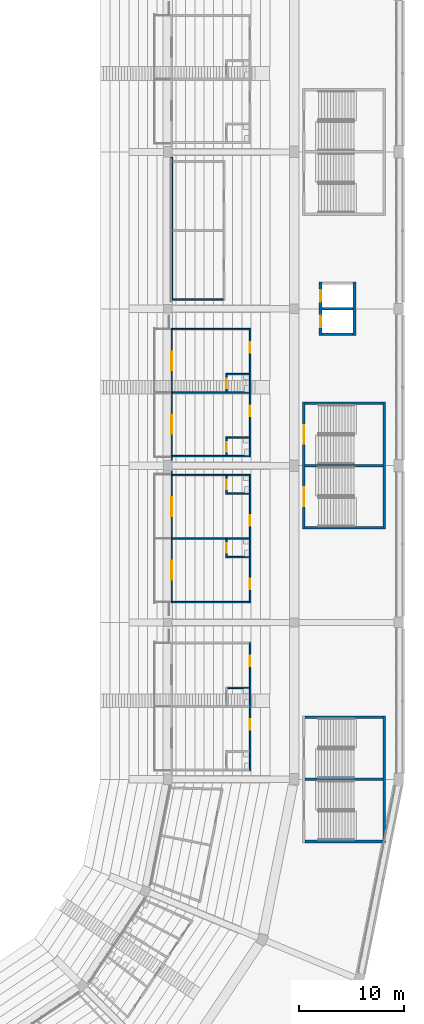
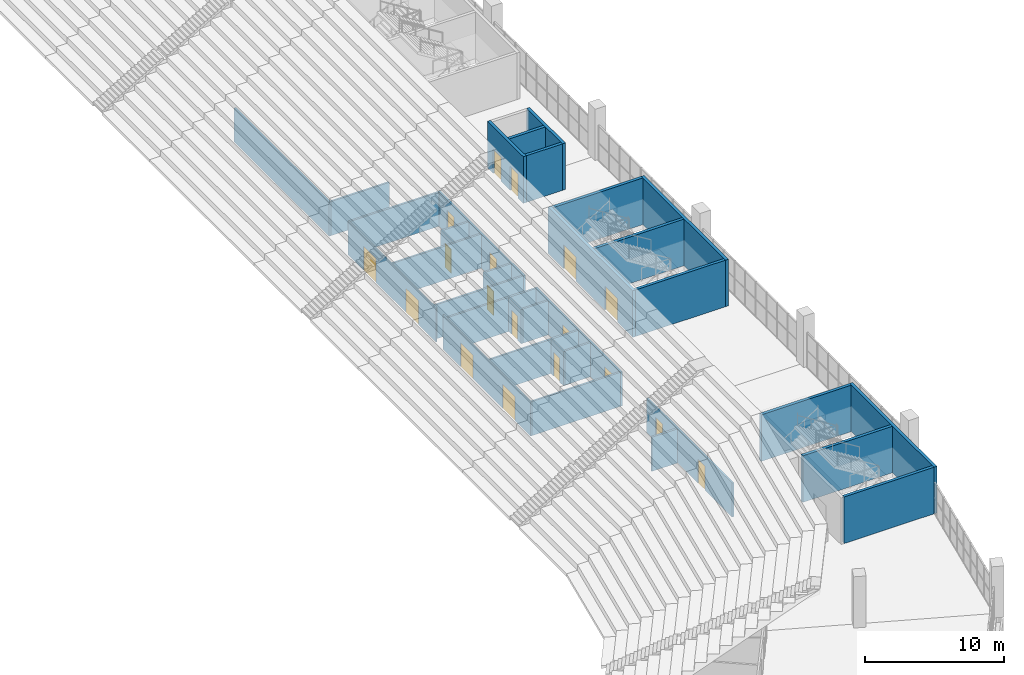
# One storey, part 92 of 249: 35 walls, 18 doors, 18 openings.
"""IFC4 building model written with IfcOpenShell, lengths in metres."""

import ifcopenshell
import ifcopenshell.guid

model = None  # the IFC model being written
_history = None  # IfcOwnerHistory: only IFC2X3 demands one
_inside = {}  # id of a spatial element -> (the spatial element, [elements in it])
_under = {}  # id of a project, library or spatial element -> (it, [spatial elements below it])
_declared = {}  # id of a project -> (the project, [libraries it declares])
_typed = {}  # id of a type object -> (the type object, [elements of that type])
_made_of = {}  # id of a material, layer set ... -> (it, [elements and type objects made of it])


def new_model(schema):
    """Start an empty IFC model of exactly this schema.

    Asked for "IFC4X3", IfcOpenShell would pick the latest addendum, in which some entities
    have other attributes; the version numbers below select the first issue.
    IFC2X3 requires an IfcOwnerHistory on every rooted entity: one is made here for all.
    """
    global model, _history
    if schema == "IFC4X3":
        model = ifcopenshell.file(schema_version=(4, 3, 0, 0))
    else:
        model = ifcopenshell.file(schema=schema)
    _inside.clear()
    _under.clear()
    _declared.clear()
    _typed.clear()
    _made_of.clear()
    _history = None
    if model.schema == "IFC2X3":
        org = make("IfcOrganization", Name="unknown")
        user = make(
            "IfcPersonAndOrganization",
            ThePerson=make("IfcPerson", FamilyName="unknown"),
            TheOrganization=org,
        )
        app = make(
            "IfcApplication",
            ApplicationDeveloper=org,
            Version="unknown",
            ApplicationFullName="unknown",
            ApplicationIdentifier="unknown",
        )
        _history = make(
            "IfcOwnerHistory",
            OwningUser=user,
            OwningApplication=app,
            ChangeAction="ADDED",
            CreationDate=0,
        )
    return model


def make(cls, **values):
    """One entity of the class cls with the attributes given. An attribute that is None is left unset."""
    return model.create_entity(
        cls, **{name: value for name, value in values.items() if value is not None}
    )


def rooted(cls, **values):
    """An entity with a GlobalId (a new one), such as an element, a storey or a relation."""
    return make(cls, GlobalId=ifcopenshell.guid.new(), OwnerHistory=_history, **values)


def si_unit(unit_type, name, prefix=None):
    """IfcSIUnit, for example si_unit("LENGTHUNIT", "METRE", prefix="MILLI")."""
    return make("IfcSIUnit", UnitType=unit_type, Prefix=prefix, Name=name)


def assignment(units):
    """IfcUnitAssignment: the units of a project."""
    return None if units is None else make("IfcUnitAssignment", Units=units)


def point(xyz):
    """IfcCartesianPoint."""
    return None if xyz is None else make("IfcCartesianPoint", Coordinates=xyz)


def direction(xyz):
    """IfcDirection."""
    return None if xyz is None else make("IfcDirection", DirectionRatios=xyz)


def frame(location, z_axis=None, x_axis=None):
    """IfcAxis2Placement3D, a coordinate frame: its origin and axes. An axis left out is left unset."""
    return make(
        "IfcAxis2Placement3D",
        Location=point(location),
        Axis=direction(z_axis),
        RefDirection=direction(x_axis),
    )


def frame_2d(location, x_axis=None):
    """IfcAxis2Placement2D, a coordinate frame in the plane: its origin and x axis."""
    return make(
        "IfcAxis2Placement2D", Location=point(location), RefDirection=direction(x_axis)
    )


def origin():
    """The frame at (0, 0, 0) with its axes left unset."""
    return frame((0.0, 0.0, 0.0))


def place(relative_to, where):
    """IfcLocalPlacement: puts the frame where relative to a parent placement (None: the world)."""
    return make(
        "IfcLocalPlacement", PlacementRelTo=relative_to, RelativePlacement=where
    )


def context(
    kind, dimensions, precision=None, world=None, true_north=None, identifier=None
):
    """IfcGeometricRepresentationContext, for example the 3D "Model" context."""
    return make(
        "IfcGeometricRepresentationContext",
        ContextIdentifier=identifier,
        ContextType=kind,
        CoordinateSpaceDimension=dimensions,
        Precision=precision,
        WorldCoordinateSystem=world,
        TrueNorth=true_north,
    )


def subcontext(parent, identifier, kind, view, scale=None):
    """IfcGeometricRepresentationSubContext, for example "Body" below "Model"."""
    return make(
        "IfcGeometricRepresentationSubContext",
        ContextIdentifier=identifier,
        ContextType=kind,
        ParentContext=parent,
        TargetScale=scale,
        TargetView=view,
    )


def project(units=None, contexts=None):
    """IfcProject with its units and contexts."""
    return rooted(
        "IfcProject",
        Name="project",
        RepresentationContexts=contexts,
        UnitsInContext=assignment(units),
    )


def spatial(cls, under=None, at=None, **own):
    """A site, building, storey or space (cls), placed at a placement, below another one or the project."""
    s = rooted(cls, ObjectPlacement=at, **own)
    if under is not None:
        _under.setdefault(under.id(), (under, []))[1].append(s)
    return s


def profile(cls, at=None, kind="AREA", **sizes):
    """A parametric profile (cls). Its sizes go by their IFC names, for example OverallWidth=200.0."""
    return make(cls, ProfileType=kind, Position=at, **sizes)


def rectangle(**sizes):
    """IfcRectangleProfileDef."""
    return profile("IfcRectangleProfileDef", **sizes)


def extrude(swept, where, along, depth):
    """IfcExtrudedAreaSolid: the profile swept, set in the frame where, extruded along a direction by depth."""
    return make(
        "IfcExtrudedAreaSolid",
        SweptArea=swept,
        Position=where,
        ExtrudedDirection=direction(along),
        Depth=depth,
    )


def shape(context_of_items, identifier, shape_type, items):
    """IfcShapeRepresentation: the items that make up one representation, for example the "Body"."""
    return make(
        "IfcShapeRepresentation",
        ContextOfItems=context_of_items,
        RepresentationIdentifier=identifier,
        RepresentationType=shape_type,
        Items=items,
    )


def material(Name=None, Category=None):
    """IfcMaterial."""
    return make("IfcMaterial", Name=Name, Category=Category)


def layer(
    of_material, thickness, ventilated=None, Name=None, Category=None, Priority=None
):
    """IfcMaterialLayer: one layer of a wall or slab, of a material (None: an air gap)."""
    return make(
        "IfcMaterialLayer",
        Material=of_material,
        LayerThickness=thickness,
        IsVentilated=ventilated,
        Name=Name,
        Category=Category,
        Priority=Priority,
    )


def layer_set(layers, Name=None):
    """IfcMaterialLayerSet."""
    return make("IfcMaterialLayerSet", MaterialLayers=layers, LayerSetName=Name)


def made_of(thing, what):
    """Note that an element or type object is made of a material, layer set ...; save() writes the relation."""
    if what is not None:
        _made_of.setdefault(what.id(), (what, []))[1].append(thing)
    return thing


def type_object(cls, material=None, **own):
    """A type object (cls), such as IfcWallType, which elements share."""
    return made_of(rooted(cls, **own), material)


def element(
    cls,
    number,
    at=None,
    inside=None,
    cuts=None,
    type_object=None,
    material=None,
    context=None,
    identifier="Body",
    shape_type=None,
    held_by="IfcProductDefinitionShape",
    body=None,
    shapes=None,
    **own,
):
    """One element of the class cls, such as IfcWall. Its Tag is "e" and its number.

    at: its placement. inside: the storey or other place that contains it. cuts: it is an
    opening in that element (IfcRelVoidsElement). A single representation is given by context,
    identifier, shape_type and body (its items); several are given by shapes. held_by: the class
    of the entity that holds the representations. save() writes the other relations.
    """
    e = rooted(cls, Tag="e%d" % number, ObjectPlacement=at, **own)
    if body is not None:
        shapes = [shape(context, identifier, shape_type, body)]
    if shapes is not None:
        e.Representation = make(held_by, Representations=shapes)
    if inside is not None:
        _inside.setdefault(inside.id(), (inside, []))[1].append(e)
    if cuts is not None:
        rooted(
            "IfcRelVoidsElement", RelatingBuildingElement=cuts, RelatedOpeningElement=e
        )
    if type_object is not None:
        _typed.setdefault(type_object.id(), (type_object, []))[1].append(e)
    return made_of(e, material)


def fill(opening, filler):
    """IfcRelFillsElement: the door or window that sits in an opening."""
    return rooted(
        "IfcRelFillsElement",
        RelatingOpeningElement=opening,
        RelatedBuildingElement=filler,
    )


def aggregate(whole, parts):
    """IfcRelAggregates: a whole, such as a stair, and the parts it consists of."""
    return rooted("IfcRelAggregates", RelatingObject=whole, RelatedObjects=parts)


def save(model, path):
    """Write the relations noted so far, then the file.

    IfcRelAggregates (storeys below a building ...), IfcRelContainedInSpatialStructure (elements
    in a storey), IfcRelDefinesByType, IfcRelAssociatesMaterial and IfcRelDeclares: one each for
    every whole, place, type object, material and project.
    """
    for whole, parts in _under.values():
        aggregate(whole, parts)
    for where, things in _inside.values():
        rooted(
            "IfcRelContainedInSpatialStructure",
            RelatedElements=things,
            RelatingStructure=where,
        )
    for kind, things in _typed.values():
        rooted("IfcRelDefinesByType", RelatedObjects=things, RelatingType=kind)
    for what, things in _made_of.values():
        rooted("IfcRelAssociatesMaterial", RelatedObjects=things, RelatingMaterial=what)
    for by, libraries in _declared.values():
        rooted("IfcRelDeclares", RelatingContext=by, RelatedDefinitions=libraries)
    model.write(path)


model = new_model("IFC4")

# Units and contexts
model_context = context("Model", 3, precision=1e-05, world=origin(), true_north=direction((0.0, 1.0)))
body_context = subcontext(model_context, "Body", "Model", "MODEL_VIEW")
ifc_project = project(units=[si_unit("LENGTHUNIT", "METRE"), si_unit("AREAUNIT", "SQUARE_METRE"), si_unit("VOLUMEUNIT", "CUBIC_METRE"), si_unit("PLANEANGLEUNIT", "RADIAN"), si_unit("MASSUNIT", "GRAM", prefix="KILO")], contexts=[model_context])

# Site, building, storey
site_placement = place(None, origin())
site = spatial("IfcSite", under=ifc_project, at=site_placement, CompositionType="ELEMENT")
building_placement = place(site_placement, origin())
building = spatial("IfcBuilding", under=site, at=building_placement, Name="Ogive Plaza Stadium", CompositionType="ELEMENT")
storey_placement = place(building_placement, frame((0.0, 0.0, 13.5)))
storey = spatial("IfcBuildingStorey", under=building, at=storey_placement, Name="L03", CompositionType="ELEMENT", Elevation=13.5)

# Walls
ifc_material_1 = material(Name="Masonry blockwork", Category="masonry")
ifc_layer_1 = layer(ifc_material_1, 0.14990234375)
ifc_layer_set_1 = layer_set([ifc_layer_1], Name="Blockwork wall 150")
wall_type_1 = type_object("IfcWallType", Name="Blockwork wall 150", PredefinedType="SOLIDWALL", material=ifc_layer_set_1)
wall_1_placement = place(storey_placement, frame((62.300048828125, 7.0, 0.0), z_axis=(0.0, 0.0, 1.0), x_axis=(0.0, -1.0, 0.0)))
element("IfcWall", 1, at=wall_1_placement, inside=storey, type_object=wall_type_1, Name="Wall L03 B04", PredefinedType="SOLIDWALL", context=body_context, shape_type="SweptSolid", body=[
    extrude(rectangle(XDim=13.675048828125, YDim=0.14990234375, at=frame_2d((6.83740234375, 0.0))), origin(), (0.0, 0.0, 1.0), 3.0),
])
wall_2_placement = place(storey_placement, frame((62.375, -6.60009765625, 0.0), z_axis=(0.0, 0.0, 1.0), x_axis=(1.0, 0.0, 0.0)))
element("IfcWall", 2, at=wall_2_placement, inside=storey, type_object=wall_type_1, Name="Wall L03 B04", PredefinedType="SOLIDWALL", context=body_context, shape_type="SweptSolid", body=[
    extrude(rectangle(XDim=4.85009765625, YDim=0.14990234375, at=frame_2d((2.425048828125, 0.0))), origin(), (0.0, 0.0, 1.0), 3.0),
])

# Wall, openings, doors
wall_3_placement = place(storey_placement, frame((69.800048828125, -21.675048828125, 0.0), z_axis=(0.0, 0.0, 1.0), x_axis=(0.0, 1.0, 0.0)))
wall_3 = element("IfcWall", 3, at=wall_3_placement, inside=storey, type_object=wall_type_1, Name="Wall L03 B05", PredefinedType="SOLIDWALL", context=body_context, shape_type="SweptSolid", body=[
    extrude(rectangle(XDim=12.300048828125, YDim=0.14990234375, at=frame_2d((6.14990234375, 0.0))), origin(), (0.0, 0.0, 1.0), 3.0),
])
opening_1_placement = place(wall_3_placement, frame((3.916015625, 0.0, 0.0)))
opening_1 = element("IfcOpeningElement", 4, at=opening_1_placement, cuts=wall_3, Name="Opening D0769", PredefinedType="OPENING", context=body_context, shape_type="SweptSolid", body=[
    extrude(rectangle(XDim=1.0, YDim=2.10009765625, at=frame_2d((0.5, 1.050048828125))), frame((0.0, 0.074951171875, 0.0), z_axis=(0.0, -1.0, 0.0), x_axis=(1.0, 0.0, 0.0)), (0.0, 0.0, 1.0), 0.14990234375),
])
opening_2_placement = place(wall_3_placement, frame((9.990966796875, 0.0, 0.0)))
opening_2 = element("IfcOpeningElement", 5, at=opening_2_placement, cuts=wall_3, Name="Opening D0770", PredefinedType="OPENING", context=body_context, shape_type="SweptSolid", body=[
    extrude(rectangle(XDim=1.0, YDim=2.10009765625, at=frame_2d((0.5, 1.050048828125))), frame((0.0, 0.074951171875, 0.0), z_axis=(0.0, -1.0, 0.0), x_axis=(1.0, 0.0, 0.0)), (0.0, 0.0, 1.0), 0.14990234375),
])
ifc_material_2 = material(Name="Steel ASTM A572 Grade 50", Category="steel")
door_type_1 = type_object("IfcDoorType", Name="Fire door FD30S 1000 x 2100", OperationType="SINGLE_SWING_LEFT", PredefinedType="DOOR", material=ifc_material_2)
door_1_placement = place(opening_1_placement, origin())
door_1 = element("IfcDoor", 6, at=door_1_placement, inside=storey, type_object=door_type_1, Name="Hospitality Suite B05 door", OperationType="SINGLE_SWING_LEFT", OverallHeight=2.10009765625, OverallWidth=1.0, PredefinedType="DOOR", context=body_context, shape_type="SweptSolid", body=[
    extrude(rectangle(XDim=1.0, YDim=2.10009765625, at=frame_2d((0.5, 1.050048828125))), frame((0.0, 0.02490234375, 0.0), z_axis=(0.0, -1.0, 0.0), x_axis=(1.0, 0.0, 0.0)), (0.0, 0.0, 1.0), 0.050048828125),
])
fill(opening_1, door_1)
door_2_placement = place(opening_2_placement, origin())
door_2 = element("IfcDoor", 7, at=door_2_placement, inside=storey, type_object=door_type_1, Name="Hospitality Suite B05 door", OperationType="SINGLE_SWING_LEFT", OverallHeight=2.10009765625, OverallWidth=1.0, PredefinedType="DOOR", context=body_context, shape_type="SweptSolid", body=[
    extrude(rectangle(XDim=1.0, YDim=2.10009765625, at=frame_2d((0.5, 1.050048828125))), frame((0.0, 0.02490234375, 0.0), z_axis=(0.0, -1.0, 0.0), x_axis=(1.0, 0.0, 0.0)), (0.0, 0.0, 1.0), 0.050048828125),
])
fill(opening_2, door_2)

# Walls
for number, where, z_axis, x_axis, name in (
    (8, (62.35009765625, -21.60009765625, 0.0), (0.0, 0.0, 1.0), (1.0, 0.0, 0.0), "Wall L03 B05"),
    (9, (62.35009765625, -15.52490234375, 0.0), (0.0, 0.0, 1.0), (1.0, 0.0, 0.0), "Wall L03 B05"),
    (10, (62.35009765625, -9.449951171875, 0.0), (0.0, 0.0, 1.0), (1.0, 0.0, 0.0), "Wall L03 B05"),
):
    element("IfcWall", number, at=place(storey_placement, frame(where, z_axis=z_axis, x_axis=x_axis)), inside=storey, type_object=wall_type_1, Name=name, PredefinedType="SOLIDWALL", context=body_context, shape_type="SweptSolid", body=[
        extrude(rectangle(XDim=7.375, YDim=0.14990234375, at=frame_2d((3.6875, 0.0))), origin(), (0.0, 0.0, 1.0), 3.0),
    ])

# Wall, openings, doors
wall_4_placement = place(storey_placement, frame((69.800048828125, -23.324951171875, 0.0), z_axis=(0.0, 0.0, 1.0), x_axis=(0.0, -1.0, 0.0)))
wall_4 = element("IfcWall", 11, at=wall_4_placement, inside=storey, type_object=wall_type_1, Name="Wall L03 B06", PredefinedType="SOLIDWALL", context=body_context, shape_type="SweptSolid", body=[
    extrude(rectangle(XDim=12.300048828125, YDim=0.14990234375, at=frame_2d((6.14990234375, 0.0))), origin(), (0.0, 0.0, 1.0), 3.0),
])
opening_3_placement = place(wall_4_placement, frame((3.916015625, 0.0, 0.0)))
opening_3 = element("IfcOpeningElement", 12, at=opening_3_placement, cuts=wall_4, Name="Opening D0775", PredefinedType="OPENING", context=body_context, shape_type="SweptSolid", body=[
    extrude(rectangle(XDim=1.0, YDim=2.10009765625, at=frame_2d((0.5, 1.050048828125))), frame((0.0, 0.074951171875, 0.0), z_axis=(0.0, -1.0, 0.0), x_axis=(1.0, 0.0, 0.0)), (0.0, 0.0, 1.0), 0.14990234375),
])
opening_4_placement = place(wall_4_placement, frame((9.990966796875, 0.0, 0.0)))
opening_4 = element("IfcOpeningElement", 13, at=opening_4_placement, cuts=wall_4, Name="Opening D0776", PredefinedType="OPENING", context=body_context, shape_type="SweptSolid", body=[
    extrude(rectangle(XDim=1.0, YDim=2.10009765625, at=frame_2d((0.5, 1.050048828125))), frame((0.0, 0.074951171875, 0.0), z_axis=(0.0, -1.0, 0.0), x_axis=(1.0, 0.0, 0.0)), (0.0, 0.0, 1.0), 0.14990234375),
])
door_3_placement = place(opening_3_placement, origin())
door_3 = element("IfcDoor", 14, at=door_3_placement, inside=storey, type_object=door_type_1, Name="Hospitality Suite B06 door", OperationType="SINGLE_SWING_RIGHT", OverallHeight=2.10009765625, OverallWidth=1.0, PredefinedType="DOOR", context=body_context, shape_type="SweptSolid", body=[
    extrude(rectangle(XDim=1.0, YDim=2.10009765625, at=frame_2d((0.5, 1.050048828125))), frame((0.0, 0.02490234375, 0.0), z_axis=(0.0, -1.0, 0.0), x_axis=(1.0, 0.0, 0.0)), (0.0, 0.0, 1.0), 0.050048828125),
])
fill(opening_3, door_3)
door_4_placement = place(opening_4_placement, origin())
door_4 = element("IfcDoor", 15, at=door_4_placement, inside=storey, type_object=door_type_1, Name="Hospitality Suite B06 door", OperationType="SINGLE_SWING_RIGHT", OverallHeight=2.10009765625, OverallWidth=1.0, PredefinedType="DOOR", context=body_context, shape_type="SweptSolid", body=[
    extrude(rectangle(XDim=1.0, YDim=2.10009765625, at=frame_2d((0.5, 1.050048828125))), frame((0.0, 0.02490234375, 0.0), z_axis=(0.0, -1.0, 0.0), x_axis=(1.0, 0.0, 0.0)), (0.0, 0.0, 1.0), 0.050048828125),
])
fill(opening_4, door_4)

# Walls
for number, where, z_axis, x_axis, name in (
    (16, (62.35009765625, -23.39990234375, 0.0), (0.0, 0.0, 1.0), (1.0, 0.0, 0.0), "Wall L03 B06"),
    (17, (62.35009765625, -29.47509765625, 0.0), (0.0, 0.0, 1.0), (1.0, 0.0, 0.0), "Wall L03 B06"),
    (18, (62.35009765625, -35.550048828125, 0.0), (0.0, 0.0, 1.0), (1.0, 0.0, 0.0), "Wall L03 B06"),
):
    element("IfcWall", number, at=place(storey_placement, frame(where, z_axis=z_axis, x_axis=x_axis)), inside=storey, type_object=wall_type_1, Name=name, PredefinedType="SOLIDWALL", context=body_context, shape_type="SweptSolid", body=[
        extrude(rectangle(XDim=7.375, YDim=0.14990234375, at=frame_2d((3.6875, 0.0))), origin(), (0.0, 0.0, 1.0), 3.0),
    ])

# Wall, openings, doors
wall_5_placement = place(storey_placement, frame((69.800048828125, -51.675048828125, 0.0), z_axis=(0.0, 0.0, 1.0), x_axis=(0.0, 1.0, 0.0)))
wall_5 = element("IfcWall", 19, at=wall_5_placement, inside=storey, type_object=wall_type_1, Name="Wall L03 B07", PredefinedType="SOLIDWALL", context=body_context, shape_type="SweptSolid", body=[
    extrude(rectangle(XDim=12.300048828125, YDim=0.14990234375, at=frame_2d((6.14990234375, 0.0))), origin(), (0.0, 0.0, 1.0), 3.0),
])
opening_5_placement = place(wall_5_placement, frame((3.916015625, 0.0, 0.0)))
opening_5 = element("IfcOpeningElement", 20, at=opening_5_placement, cuts=wall_5, Name="Opening D0781", PredefinedType="OPENING", context=body_context, shape_type="SweptSolid", body=[
    extrude(rectangle(XDim=1.0, YDim=2.10009765625, at=frame_2d((0.5, 1.050048828125))), frame((0.0, 0.074951171875, 0.0), z_axis=(0.0, -1.0, 0.0), x_axis=(1.0, 0.0, 0.0)), (0.0, 0.0, 1.0), 0.14990234375),
])
opening_6_placement = place(wall_5_placement, frame((9.990966796875, 0.0, 0.0)))
opening_6 = element("IfcOpeningElement", 21, at=opening_6_placement, cuts=wall_5, Name="Opening D0782", PredefinedType="OPENING", context=body_context, shape_type="SweptSolid", body=[
    extrude(rectangle(XDim=1.0, YDim=2.10009765625, at=frame_2d((0.5, 1.050048828125))), frame((0.0, 0.074951171875, 0.0), z_axis=(0.0, -1.0, 0.0), x_axis=(1.0, 0.0, 0.0)), (0.0, 0.0, 1.0), 0.14990234375),
])
door_5_placement = place(opening_5_placement, origin())
door_5 = element("IfcDoor", 22, at=door_5_placement, inside=storey, type_object=door_type_1, Name="Hospitality Suite B07 door", OperationType="SINGLE_SWING_LEFT", OverallHeight=2.10009765625, OverallWidth=1.0, PredefinedType="DOOR", context=body_context, shape_type="SweptSolid", body=[
    extrude(rectangle(XDim=1.0, YDim=2.10009765625, at=frame_2d((0.5, 1.050048828125))), frame((0.0, 0.02490234375, 0.0), z_axis=(0.0, -1.0, 0.0), x_axis=(1.0, 0.0, 0.0)), (0.0, 0.0, 1.0), 0.050048828125),
])
fill(opening_5, door_5)
door_6_placement = place(opening_6_placement, origin())
door_6 = element("IfcDoor", 23, at=door_6_placement, inside=storey, type_object=door_type_1, Name="Hospitality Suite B07 door", OperationType="SINGLE_SWING_LEFT", OverallHeight=2.10009765625, OverallWidth=1.0, PredefinedType="DOOR", context=body_context, shape_type="SweptSolid", body=[
    extrude(rectangle(XDim=1.0, YDim=2.10009765625, at=frame_2d((0.5, 1.050048828125))), frame((0.0, 0.02490234375, 0.0), z_axis=(0.0, -1.0, 0.0), x_axis=(1.0, 0.0, 0.0)), (0.0, 0.0, 1.0), 0.050048828125),
])
fill(opening_6, door_6)

ifc_material_3 = material(Name="Concrete C40/50", Category="concrete")
ifc_layer_2 = layer(ifc_material_3, 0.25)
ifc_layer_set_2 = layer_set([ifc_layer_2], Name="Concrete C40/50")
wall_type_2 = type_object("IfcWallType", Name="Core wall 250", PredefinedType="SHEAR", material=ifc_layer_set_2)
wall_6_placement = place(storey_placement, frame((74.925048828125, -28.574951171875, 0.0), z_axis=(0.0, 0.0, 1.0), x_axis=(0.0, 1.0, 0.0)))
wall_6 = element("IfcWall", 24, at=wall_6_placement, inside=storey, type_object=wall_type_2, Name="Stair core R06 inner wall", PredefinedType="SHEAR", context=body_context, shape_type="SweptSolid", body=[
    extrude(rectangle(XDim=12.14990234375, YDim=0.25, at=frame_2d((6.074951171875, 0.0))), origin(), (0.0, 0.0, 1.0), 4.090087890625),
])
opening_7_placement = place(wall_6_placement, frame((2.199951171875, 0.0, 0.0)))
opening_7 = element("IfcOpeningElement", 25, at=opening_7_placement, cuts=wall_6, Name="Opening D0075", PredefinedType="OPENING", context=body_context, shape_type="SweptSolid", body=[
    extrude(rectangle(XDim=1.800048828125, YDim=2.10009765625, at=frame_2d((0.89990234375, 1.050048828125))), frame((0.0, 0.125, 0.0), z_axis=(0.0, -1.0, 0.0), x_axis=(1.0, 0.0, 0.0)), (0.0, 0.0, 1.0), 0.25),
])
opening_8_placement = place(wall_6_placement, frame((8.14990234375, 0.0, 0.0)))
opening_8 = element("IfcOpeningElement", 26, at=opening_8_placement, cuts=wall_6, Name="Opening D0076", PredefinedType="OPENING", context=body_context, shape_type="SweptSolid", body=[
    extrude(rectangle(XDim=1.800048828125, YDim=2.10009765625, at=frame_2d((0.89990234375, 1.050048828125))), frame((0.0, 0.125, 0.0), z_axis=(0.0, -1.0, 0.0), x_axis=(1.0, 0.0, 0.0)), (0.0, 0.0, 1.0), 0.25),
])
ifc_material_4 = material(Name="Steel ASTM A572 Grade 50", Category="steel")
door_type_2 = type_object("IfcDoorType", Name="Fire door FD90 pair 1800 x 2100", OperationType="DOUBLE_DOOR_SINGLE_SWING", PredefinedType="DOOR", material=ifc_material_4)
door_7_placement = place(opening_7_placement, origin())
door_7 = element("IfcDoor", 27, at=door_7_placement, inside=storey, type_object=door_type_2, Name="Exit stair R06A door L03", OperationType="DOUBLE_DOOR_SINGLE_SWING", OverallHeight=2.10009765625, OverallWidth=1.800048828125, PredefinedType="DOOR", context=body_context, shape_type="SweptSolid", body=[
    extrude(rectangle(XDim=1.800048828125, YDim=2.10009765625, at=frame_2d((0.89990234375, 1.050048828125))), frame((0.0, 0.02490234375, 0.0), z_axis=(0.0, -1.0, 0.0), x_axis=(1.0, 0.0, 0.0)), (0.0, 0.0, 1.0), 0.050048828125),
])
fill(opening_7, door_7)
door_8_placement = place(opening_8_placement, origin())
door_8 = element("IfcDoor", 28, at=door_8_placement, inside=storey, type_object=door_type_2, Name="Exit stair R06B door L03", OperationType="DOUBLE_DOOR_SINGLE_SWING", OverallHeight=2.10009765625, OverallWidth=1.800048828125, PredefinedType="DOOR", context=body_context, shape_type="SweptSolid", body=[
    extrude(rectangle(XDim=1.800048828125, YDim=2.10009765625, at=frame_2d((0.89990234375, 1.050048828125))), frame((0.0, 0.02490234375, 0.0), z_axis=(0.0, -1.0, 0.0), x_axis=(1.0, 0.0, 0.0)), (0.0, 0.0, 1.0), 0.050048828125),
])
fill(opening_8, door_8)

# Walls
wall_7_placement = place(storey_placement, frame((82.635009765625, -28.574951171875, 0.0), z_axis=(0.0, 0.0, 1.0), x_axis=(0.0, 1.0, 0.0)))
element("IfcWall", 29, at=wall_7_placement, inside=storey, type_object=wall_type_2, Name="Stair core R06 outer wall", PredefinedType="SHEAR", context=body_context, shape_type="SweptSolid", body=[
    extrude(rectangle(XDim=12.14990234375, YDim=0.25, at=frame_2d((6.074951171875, 0.0))), origin(), (0.0, 0.0, 1.0), 4.090087890625),
])
for number, where, z_axis, x_axis, name in (
    (30, (75.050048828125, -28.449951171875, 0.0), (0.0, 0.0, 1.0), (1.0, 0.0, 0.0), "Stair core R06 side wall"),
    (31, (75.050048828125, -16.550048828125, 0.0), (0.0, 0.0, 1.0), (1.0, 0.0, 0.0), "Stair core R06 side wall"),
    (32, (75.050048828125, -22.5, 0.0), (0.0, 0.0, 1.0), (1.0, 0.0, 0.0), "Stair core R06 centre wall"),
):
    element("IfcWall", number, at=place(storey_placement, frame(where, z_axis=z_axis, x_axis=x_axis)), inside=storey, type_object=wall_type_2, Name=name, PredefinedType="SHEAR", context=body_context, shape_type="SweptSolid", body=[
        extrude(rectangle(XDim=7.4599609375, YDim=0.25, at=frame_2d((3.72998046875, 0.0))), origin(), (0.0, 0.0, 1.0), 4.090087890625),
    ])
wall_8_placement = place(storey_placement, frame((82.635009765625, -58.574951171875, 0.0), z_axis=(0.0, 0.0, 1.0), x_axis=(0.0, 1.0, 0.0)))
element("IfcWall", 33, at=wall_8_placement, inside=storey, type_object=wall_type_2, Name="Stair core R08 outer wall", PredefinedType="SHEAR", context=body_context, shape_type="SweptSolid", body=[
    extrude(rectangle(XDim=12.14990234375, YDim=0.25, at=frame_2d((6.074951171875, 0.0))), origin(), (0.0, 0.0, 1.0), 4.090087890625),
])
for number, where, z_axis, x_axis, name in (
    (34, (75.050048828125, -58.449951171875, 0.0), (0.0, 0.0, 1.0), (1.0, 0.0, 0.0), "Stair core R08 side wall"),
    (35, (75.050048828125, -46.550048828125, 0.0), (0.0, 0.0, 1.0), (1.0, 0.0, 0.0), "Stair core R08 side wall"),
    (36, (75.050048828125, -52.5, 0.0), (0.0, 0.0, 1.0), (1.0, 0.0, 0.0), "Stair core R08 centre wall"),
):
    element("IfcWall", number, at=place(storey_placement, frame(where, z_axis=z_axis, x_axis=x_axis)), inside=storey, type_object=wall_type_2, Name=name, PredefinedType="SHEAR", context=body_context, shape_type="SweptSolid", body=[
        extrude(rectangle(XDim=7.4599609375, YDim=0.25, at=frame_2d((3.72998046875, 0.0))), origin(), (0.0, 0.0, 1.0), 4.090087890625),
    ])

# Wall, openings, doors
wall_9_placement = place(storey_placement, frame((76.52490234375, -10.074951171875, 0.0), z_axis=(0.0, 0.0, 1.0), x_axis=(0.0, 1.0, 0.0)))
wall_9 = element("IfcWall", 37, at=wall_9_placement, inside=storey, type_object=wall_type_2, Name="Lift core LP05 landing wall", PredefinedType="SHEAR", context=body_context, shape_type="SweptSolid", body=[
    extrude(rectangle(XDim=5.14990234375, YDim=0.25, at=frame_2d((2.574951171875, 0.0))), origin(), (0.0, 0.0, 1.0), 4.090087890625),
])
opening_9_placement = place(wall_9_placement, frame((0.800048828125, 0.0, 0.0)))
opening_9 = element("IfcOpeningElement", 38, at=opening_9_placement, cuts=wall_9, Name="Opening LD015", PredefinedType="OPENING", context=body_context, shape_type="SweptSolid", body=[
    extrude(rectangle(XDim=1.10009765625, YDim=2.10009765625, at=frame_2d((0.550048828125, 1.050048828125))), frame((0.0, 0.125, 0.0), z_axis=(0.0, -1.0, 0.0), x_axis=(1.0, 0.0, 0.0)), (0.0, 0.0, 1.0), 0.25),
])
opening_10_placement = place(wall_9_placement, frame((3.25, 0.0, 0.0)))
opening_10 = element("IfcOpeningElement", 39, at=opening_10_placement, cuts=wall_9, Name="Opening LD016", PredefinedType="OPENING", context=body_context, shape_type="SweptSolid", body=[
    extrude(rectangle(XDim=1.10009765625, YDim=2.10009765625, at=frame_2d((0.550048828125, 1.050048828125))), frame((0.0, 0.125, 0.0), z_axis=(0.0, -1.0, 0.0), x_axis=(1.0, 0.0, 0.0)), (0.0, 0.0, 1.0), 0.25),
])
ifc_material_5 = material(Name="Steel ASTM A572 Grade 50", Category="steel")
door_type_3 = type_object("IfcDoorType", Name="Landing door 1100 x 2100", OperationType="SLIDING_TO_LEFT", PredefinedType="DOOR", material=ifc_material_5)
door_9_placement = place(opening_9_placement, origin())
door_9 = element("IfcDoor", 40, at=door_9_placement, inside=storey, type_object=door_type_3, Name="Lift landing door LP05 L03", OperationType="SLIDING_TO_LEFT", OverallHeight=2.10009765625, OverallWidth=1.10009765625, PredefinedType="DOOR", context=body_context, shape_type="SweptSolid", body=[
    extrude(rectangle(XDim=1.10009765625, YDim=2.10009765625, at=frame_2d((0.550048828125, 1.050048828125))), frame((0.0, 0.02490234375, 0.0), z_axis=(0.0, -1.0, 0.0), x_axis=(1.0, 0.0, 0.0)), (0.0, 0.0, 1.0), 0.050048828125),
])
fill(opening_9, door_9)
door_10_placement = place(opening_10_placement, origin())
door_10 = element("IfcDoor", 41, at=door_10_placement, inside=storey, type_object=door_type_3, Name="Lift landing door LP05 L03", OperationType="SLIDING_TO_LEFT", OverallHeight=2.10009765625, OverallWidth=1.10009765625, PredefinedType="DOOR", context=body_context, shape_type="SweptSolid", body=[
    extrude(rectangle(XDim=1.10009765625, YDim=2.10009765625, at=frame_2d((0.550048828125, 1.050048828125))), frame((0.0, 0.02490234375, 0.0), z_axis=(0.0, -1.0, 0.0), x_axis=(1.0, 0.0, 0.0)), (0.0, 0.0, 1.0), 0.050048828125),
])
fill(opening_10, door_10)

# Walls
wall_10_placement = place(storey_placement, frame((79.77490234375, -10.074951171875, 0.0), z_axis=(0.0, 0.0, 1.0), x_axis=(0.0, 1.0, 0.0)))
element("IfcWall", 42, at=wall_10_placement, inside=storey, type_object=wall_type_2, Name="Lift core LP05 rear wall", PredefinedType="SHEAR", context=body_context, shape_type="SweptSolid", body=[
    extrude(rectangle(XDim=5.14990234375, YDim=0.25, at=frame_2d((2.574951171875, 0.0))), origin(), (0.0, 0.0, 1.0), 4.090087890625),
])
for number, where, z_axis, x_axis, name in (
    (43, (76.64990234375, -9.949951171875, 0.0), (0.0, 0.0, 1.0), (1.0, 0.0, 0.0), "Lift core LP05 side wall"),
    (44, (76.64990234375, -7.5, 0.0), (0.0, 0.0, 1.0), (1.0, 0.0, 0.0), "Lift core LP05 centre wall"),
):
    element("IfcWall", number, at=place(storey_placement, frame(where, z_axis=z_axis, x_axis=x_axis)), inside=storey, type_object=wall_type_2, Name=name, PredefinedType="SHEAR", context=body_context, shape_type="SweptSolid", body=[
        extrude(rectangle(XDim=3.0, YDim=0.25, at=frame_2d((1.5, 0.0))), origin(), (0.0, 0.0, 1.0), 4.090087890625),
    ])

# Wall, openings, doors
ifc_material_6 = material(Name="Laminated glass in aluminium frame", Category="aluminium")
ifc_layer_3 = layer(ifc_material_6, 0.10009765625)
ifc_layer_set_3 = layer_set([ifc_layer_3], Name="Glazed partition 100")
wall_type_3 = type_object("IfcWallType", Name="Glazed partition 100", PredefinedType="PARTITIONING", material=ifc_layer_set_3)
wall_11_placement = place(storey_placement, frame((62.300048828125, -22.0, 0.0), z_axis=(0.0, 0.0, 1.0), x_axis=(0.0, 1.0, 0.0)))
wall_11 = element("IfcWall", 45, at=wall_11_placement, inside=storey, type_object=wall_type_3, Name="Wall L03 B05", PredefinedType="PARTITIONING", context=body_context, shape_type="SweptSolid", body=[
    extrude(rectangle(XDim=12.625, YDim=0.10009765625, at=frame_2d((6.3125, 0.0))), origin(), (0.0, 0.0, 1.0), 3.0),
])
opening_11_placement = place(wall_11_placement, frame((2.53759765625, 0.0, 0.0)))
opening_11 = element("IfcOpeningElement", 46, at=opening_11_placement, cuts=wall_11, Name="Opening D0771", PredefinedType="OPENING", context=body_context, shape_type="SweptSolid", body=[
    extrude(rectangle(XDim=1.800048828125, YDim=2.10009765625, at=frame_2d((0.89990234375, 1.050048828125))), frame((0.0, 0.050048828125, 0.0), z_axis=(0.0, -1.0, 0.0), x_axis=(1.0, 0.0, 0.0)), (0.0, 0.0, 1.0), 0.10009765625),
])
opening_12_placement = place(wall_11_placement, frame((8.612548828125, 0.0, 0.0)))
opening_12 = element("IfcOpeningElement", 47, at=opening_12_placement, cuts=wall_11, Name="Opening D0772", PredefinedType="OPENING", context=body_context, shape_type="SweptSolid", body=[
    extrude(rectangle(XDim=1.800048828125, YDim=2.10009765625, at=frame_2d((0.89990234375, 1.050048828125))), frame((0.0, 0.050048828125, 0.0), z_axis=(0.0, -1.0, 0.0), x_axis=(1.0, 0.0, 0.0)), (0.0, 0.0, 1.0), 0.10009765625),
])
ifc_material_7 = material(Name="Steel ASTM A572 Grade 50", Category="steel")
door_type_4 = type_object("IfcDoorType", Name="Door pair 1800 x 2100", OperationType="DOUBLE_DOOR_SINGLE_SWING", PredefinedType="DOOR", material=ifc_material_7)
door_11_placement = place(opening_11_placement, origin())
door_11 = element("IfcDoor", 48, at=door_11_placement, inside=storey, type_object=door_type_4, Name="Suite terrace door B05", OperationType="DOUBLE_DOOR_SINGLE_SWING", OverallHeight=2.10009765625, OverallWidth=1.800048828125, PredefinedType="DOOR", context=body_context, shape_type="SweptSolid", body=[
    extrude(rectangle(XDim=1.800048828125, YDim=2.10009765625, at=frame_2d((0.89990234375, 1.050048828125))), frame((0.0, 0.02490234375, 0.0), z_axis=(0.0, -1.0, 0.0), x_axis=(1.0, 0.0, 0.0)), (0.0, 0.0, 1.0), 0.050048828125),
])
fill(opening_11, door_11)
door_12_placement = place(opening_12_placement, origin())
door_12 = element("IfcDoor", 49, at=door_12_placement, inside=storey, type_object=door_type_4, Name="Suite terrace door B05", OperationType="DOUBLE_DOOR_SINGLE_SWING", OverallHeight=2.10009765625, OverallWidth=1.800048828125, PredefinedType="DOOR", context=body_context, shape_type="SweptSolid", body=[
    extrude(rectangle(XDim=1.800048828125, YDim=2.10009765625, at=frame_2d((0.89990234375, 1.050048828125))), frame((0.0, 0.02490234375, 0.0), z_axis=(0.0, -1.0, 0.0), x_axis=(1.0, 0.0, 0.0)), (0.0, 0.0, 1.0), 0.050048828125),
])
fill(opening_12, door_12)

wall_12_placement = place(storey_placement, frame((62.300048828125, -23.0, 0.0), z_axis=(0.0, 0.0, 1.0), x_axis=(0.0, -1.0, 0.0)))
wall_12 = element("IfcWall", 50, at=wall_12_placement, inside=storey, type_object=wall_type_3, Name="Wall L03 B06", PredefinedType="PARTITIONING", context=body_context, shape_type="SweptSolid", body=[
    extrude(rectangle(XDim=12.625, YDim=0.10009765625, at=frame_2d((6.3125, 0.0))), origin(), (0.0, 0.0, 1.0), 3.0),
])
opening_13_placement = place(wall_12_placement, frame((2.53759765625, 0.0, 0.0)))
opening_13 = element("IfcOpeningElement", 51, at=opening_13_placement, cuts=wall_12, Name="Opening D0777", PredefinedType="OPENING", context=body_context, shape_type="SweptSolid", body=[
    extrude(rectangle(XDim=1.800048828125, YDim=2.10009765625, at=frame_2d((0.89990234375, 1.050048828125))), frame((0.0, 0.050048828125, 0.0), z_axis=(0.0, -1.0, 0.0), x_axis=(1.0, 0.0, 0.0)), (0.0, 0.0, 1.0), 0.10009765625),
])
opening_14_placement = place(wall_12_placement, frame((8.612548828125, 0.0, 0.0)))
opening_14 = element("IfcOpeningElement", 52, at=opening_14_placement, cuts=wall_12, Name="Opening D0778", PredefinedType="OPENING", context=body_context, shape_type="SweptSolid", body=[
    extrude(rectangle(XDim=1.800048828125, YDim=2.10009765625, at=frame_2d((0.89990234375, 1.050048828125))), frame((0.0, 0.050048828125, 0.0), z_axis=(0.0, -1.0, 0.0), x_axis=(1.0, 0.0, 0.0)), (0.0, 0.0, 1.0), 0.10009765625),
])
door_13_placement = place(opening_13_placement, origin())
door_13 = element("IfcDoor", 53, at=door_13_placement, inside=storey, type_object=door_type_4, Name="Suite terrace door B06", OperationType="DOUBLE_DOOR_SINGLE_SWING", OverallHeight=2.10009765625, OverallWidth=1.800048828125, PredefinedType="DOOR", context=body_context, shape_type="SweptSolid", body=[
    extrude(rectangle(XDim=1.800048828125, YDim=2.10009765625, at=frame_2d((0.89990234375, 1.050048828125))), frame((0.0, 0.02490234375, 0.0), z_axis=(0.0, -1.0, 0.0), x_axis=(1.0, 0.0, 0.0)), (0.0, 0.0, 1.0), 0.050048828125),
])
fill(opening_13, door_13)
door_14_placement = place(opening_14_placement, origin())
door_14 = element("IfcDoor", 54, at=door_14_placement, inside=storey, type_object=door_type_4, Name="Suite terrace door B06", OperationType="DOUBLE_DOOR_SINGLE_SWING", OverallHeight=2.10009765625, OverallWidth=1.800048828125, PredefinedType="DOOR", context=body_context, shape_type="SweptSolid", body=[
    extrude(rectangle(XDim=1.800048828125, YDim=2.10009765625, at=frame_2d((0.89990234375, 1.050048828125))), frame((0.0, 0.02490234375, 0.0), z_axis=(0.0, -1.0, 0.0), x_axis=(1.0, 0.0, 0.0)), (0.0, 0.0, 1.0), 0.050048828125),
])
fill(opening_14, door_14)

# Wall, opening, door
ifc_material_8 = material(Name="Gypsum board partition", Category="gypsum")
ifc_layer_4 = layer(ifc_material_8, 0.14990234375)
ifc_layer_set_4 = layer_set([ifc_layer_4], Name="Partition 150")
wall_type_4 = type_object("IfcWallType", Name="Partition 150", PredefinedType="PARTITIONING", material=ifc_layer_set_4)
wall_13_placement = place(storey_placement, frame((67.52490234375, -21.52490234375, 0.0), z_axis=(0.0, 0.0, 1.0), x_axis=(0.0, 1.0, 0.0)))
wall_13 = element("IfcWall", 55, at=wall_13_placement, inside=storey, type_object=wall_type_4, Name="Wall L03 B05", PredefinedType="PARTITIONING", context=body_context, shape_type="SweptSolid", body=[
    extrude(rectangle(XDim=1.77490234375, YDim=0.14990234375, at=frame_2d((0.887451171875, 0.0))), origin(), (0.0, 0.0, 1.0), 3.0),
])
opening_15_placement = place(wall_13_placement, frame((0.362548828125, 0.0, 0.0)))
opening_15 = element("IfcOpeningElement", 56, at=opening_15_placement, cuts=wall_13, Name="Opening D0773", PredefinedType="OPENING", context=body_context, shape_type="SweptSolid", body=[
    extrude(rectangle(XDim=0.89990234375, YDim=2.10009765625, at=frame_2d((0.449951171875, 1.050048828125))), frame((0.0, 0.074951171875, 0.0), z_axis=(0.0, -1.0, 0.0), x_axis=(1.0, 0.0, 0.0)), (0.0, 0.0, 1.0), 0.14990234375),
])
ifc_material_9 = material(Name="Steel ASTM A572 Grade 50", Category="steel")
door_type_5 = type_object("IfcDoorType", Name="Door 900 x 2100", OperationType="SINGLE_SWING_LEFT", PredefinedType="DOOR", material=ifc_material_9)
door_15_placement = place(opening_15_placement, origin())
door_15 = element("IfcDoor", 57, at=door_15_placement, inside=storey, type_object=door_type_5, Name="Suite WC B05 door", OperationType="SINGLE_SWING_RIGHT", OverallHeight=2.10009765625, OverallWidth=0.89990234375, PredefinedType="DOOR", context=body_context, shape_type="SweptSolid", body=[
    extrude(rectangle(XDim=0.89990234375, YDim=2.10009765625, at=frame_2d((0.449951171875, 1.050048828125))), frame((0.0, 0.02490234375, 0.0), z_axis=(0.0, -1.0, 0.0), x_axis=(1.0, 0.0, 0.0)), (0.0, 0.0, 1.0), 0.050048828125),
])
fill(opening_15, door_15)

# Wall
wall_14_placement = place(storey_placement, frame((67.60009765625, -19.824951171875, 0.0), z_axis=(0.0, 0.0, 1.0), x_axis=(1.0, 0.0, 0.0)))
element("IfcWall", 58, at=wall_14_placement, inside=storey, type_object=wall_type_4, Name="Wall L03 B05", PredefinedType="PARTITIONING", context=body_context, shape_type="SweptSolid", body=[
    extrude(rectangle(XDim=2.125, YDim=0.14990234375, at=frame_2d((1.0625, 0.0))), origin(), (0.0, 0.0, 1.0), 3.0),
])

# Wall, opening, door
wall_15_placement = place(storey_placement, frame((67.52490234375, -15.449951171875, 0.0), z_axis=(0.0, 0.0, 1.0), x_axis=(0.0, 1.0, 0.0)))
wall_15 = element("IfcWall", 59, at=wall_15_placement, inside=storey, type_object=wall_type_4, Name="Wall L03 B05", PredefinedType="PARTITIONING", context=body_context, shape_type="SweptSolid", body=[
    extrude(rectangle(XDim=1.77490234375, YDim=0.14990234375, at=frame_2d((0.887451171875, 0.0))), origin(), (0.0, 0.0, 1.0), 3.0),
])
opening_16_placement = place(wall_15_placement, frame((0.362548828125, 0.0, 0.0)))
opening_16 = element("IfcOpeningElement", 60, at=opening_16_placement, cuts=wall_15, Name="Opening D0774", PredefinedType="OPENING", context=body_context, shape_type="SweptSolid", body=[
    extrude(rectangle(XDim=0.89990234375, YDim=2.10009765625, at=frame_2d((0.449951171875, 1.050048828125))), frame((0.0, 0.074951171875, 0.0), z_axis=(0.0, -1.0, 0.0), x_axis=(1.0, 0.0, 0.0)), (0.0, 0.0, 1.0), 0.14990234375),
])
door_16_placement = place(opening_16_placement, origin())
door_16 = element("IfcDoor", 61, at=door_16_placement, inside=storey, type_object=door_type_5, Name="Suite WC B05 door", OperationType="SINGLE_SWING_LEFT", OverallHeight=2.10009765625, OverallWidth=0.89990234375, PredefinedType="DOOR", context=body_context, shape_type="SweptSolid", body=[
    extrude(rectangle(XDim=0.89990234375, YDim=2.10009765625, at=frame_2d((0.449951171875, 1.050048828125))), frame((0.0, 0.02490234375, 0.0), z_axis=(0.0, -1.0, 0.0), x_axis=(1.0, 0.0, 0.0)), (0.0, 0.0, 1.0), 0.050048828125),
])
fill(opening_16, door_16)

# Wall
wall_16_placement = place(storey_placement, frame((67.60009765625, -13.75, 0.0), z_axis=(0.0, 0.0, 1.0), x_axis=(1.0, 0.0, 0.0)))
element("IfcWall", 62, at=wall_16_placement, inside=storey, type_object=wall_type_4, Name="Wall L03 B05", PredefinedType="PARTITIONING", context=body_context, shape_type="SweptSolid", body=[
    extrude(rectangle(XDim=2.125, YDim=0.14990234375, at=frame_2d((1.0625, 0.0))), origin(), (0.0, 0.0, 1.0), 3.0),
])

# Wall, opening, door
wall_17_placement = place(storey_placement, frame((67.52490234375, -23.47509765625, 0.0), z_axis=(0.0, 0.0, 1.0), x_axis=(0.0, -1.0, 0.0)))
wall_17 = element("IfcWall", 63, at=wall_17_placement, inside=storey, type_object=wall_type_4, Name="Wall L03 B06", PredefinedType="PARTITIONING", context=body_context, shape_type="SweptSolid", body=[
    extrude(rectangle(XDim=1.77490234375, YDim=0.14990234375, at=frame_2d((0.887451171875, 0.0))), origin(), (0.0, 0.0, 1.0), 3.0),
])
opening_17_placement = place(wall_17_placement, frame((0.362548828125, 0.0, 0.0)))
opening_17 = element("IfcOpeningElement", 64, at=opening_17_placement, cuts=wall_17, Name="Opening D0779", PredefinedType="OPENING", context=body_context, shape_type="SweptSolid", body=[
    extrude(rectangle(XDim=0.89990234375, YDim=2.10009765625, at=frame_2d((0.449951171875, 1.050048828125))), frame((0.0, 0.074951171875, 0.0), z_axis=(0.0, -1.0, 0.0), x_axis=(1.0, 0.0, 0.0)), (0.0, 0.0, 1.0), 0.14990234375),
])
door_17_placement = place(opening_17_placement, origin())
door_17 = element("IfcDoor", 65, at=door_17_placement, inside=storey, type_object=door_type_5, Name="Suite WC B06 door", OperationType="SINGLE_SWING_LEFT", OverallHeight=2.10009765625, OverallWidth=0.89990234375, PredefinedType="DOOR", context=body_context, shape_type="SweptSolid", body=[
    extrude(rectangle(XDim=0.89990234375, YDim=2.10009765625, at=frame_2d((0.449951171875, 1.050048828125))), frame((0.0, 0.02490234375, 0.0), z_axis=(0.0, -1.0, 0.0), x_axis=(1.0, 0.0, 0.0)), (0.0, 0.0, 1.0), 0.050048828125),
])
fill(opening_17, door_17)

# Wall
wall_18_placement = place(storey_placement, frame((67.60009765625, -25.175048828125, 0.0), z_axis=(0.0, 0.0, 1.0), x_axis=(1.0, 0.0, 0.0)))
element("IfcWall", 66, at=wall_18_placement, inside=storey, type_object=wall_type_4, Name="Wall L03 B06", PredefinedType="PARTITIONING", context=body_context, shape_type="SweptSolid", body=[
    extrude(rectangle(XDim=2.125, YDim=0.14990234375, at=frame_2d((1.0625, 0.0))), origin(), (0.0, 0.0, 1.0), 3.0),
])

# Wall, opening, door
wall_19_placement = place(storey_placement, frame((67.52490234375, -29.550048828125, 0.0), z_axis=(0.0, 0.0, 1.0), x_axis=(0.0, -1.0, 0.0)))
wall_19 = element("IfcWall", 67, at=wall_19_placement, inside=storey, type_object=wall_type_4, Name="Wall L03 B06", PredefinedType="PARTITIONING", context=body_context, shape_type="SweptSolid", body=[
    extrude(rectangle(XDim=1.77490234375, YDim=0.14990234375, at=frame_2d((0.887451171875, 0.0))), origin(), (0.0, 0.0, 1.0), 3.0),
])
opening_18_placement = place(wall_19_placement, frame((0.362548828125, 0.0, 0.0)))
opening_18 = element("IfcOpeningElement", 68, at=opening_18_placement, cuts=wall_19, Name="Opening D0780", PredefinedType="OPENING", context=body_context, shape_type="SweptSolid", body=[
    extrude(rectangle(XDim=0.89990234375, YDim=2.10009765625, at=frame_2d((0.449951171875, 1.050048828125))), frame((0.0, 0.074951171875, 0.0), z_axis=(0.0, -1.0, 0.0), x_axis=(1.0, 0.0, 0.0)), (0.0, 0.0, 1.0), 0.14990234375),
])
door_18_placement = place(opening_18_placement, origin())
door_18 = element("IfcDoor", 69, at=door_18_placement, inside=storey, type_object=door_type_5, Name="Suite WC B06 door", OperationType="SINGLE_SWING_RIGHT", OverallHeight=2.10009765625, OverallWidth=0.89990234375, PredefinedType="DOOR", context=body_context, shape_type="SweptSolid", body=[
    extrude(rectangle(XDim=0.89990234375, YDim=2.10009765625, at=frame_2d((0.449951171875, 1.050048828125))), frame((0.0, 0.02490234375, 0.0), z_axis=(0.0, -1.0, 0.0), x_axis=(1.0, 0.0, 0.0)), (0.0, 0.0, 1.0), 0.050048828125),
])
fill(opening_18, door_18)

# Walls
for number, where, z_axis, x_axis, name in (
    (70, (67.60009765625, -31.25, 0.0), (0.0, 0.0, 1.0), (1.0, 0.0, 0.0), "Wall L03 B06"),
    (71, (67.60009765625, -43.75, 0.0), (0.0, 0.0, 1.0), (1.0, 0.0, 0.0), "Wall L03 B07"),
):
    element("IfcWall", number, at=place(storey_placement, frame(where, z_axis=z_axis, x_axis=x_axis)), inside=storey, type_object=wall_type_4, Name=name, PredefinedType="PARTITIONING", context=body_context, shape_type="SweptSolid", body=[
        extrude(rectangle(XDim=2.125, YDim=0.14990234375, at=frame_2d((1.0625, 0.0))), origin(), (0.0, 0.0, 1.0), 3.0),
    ])

save(model, "model.ifc")
